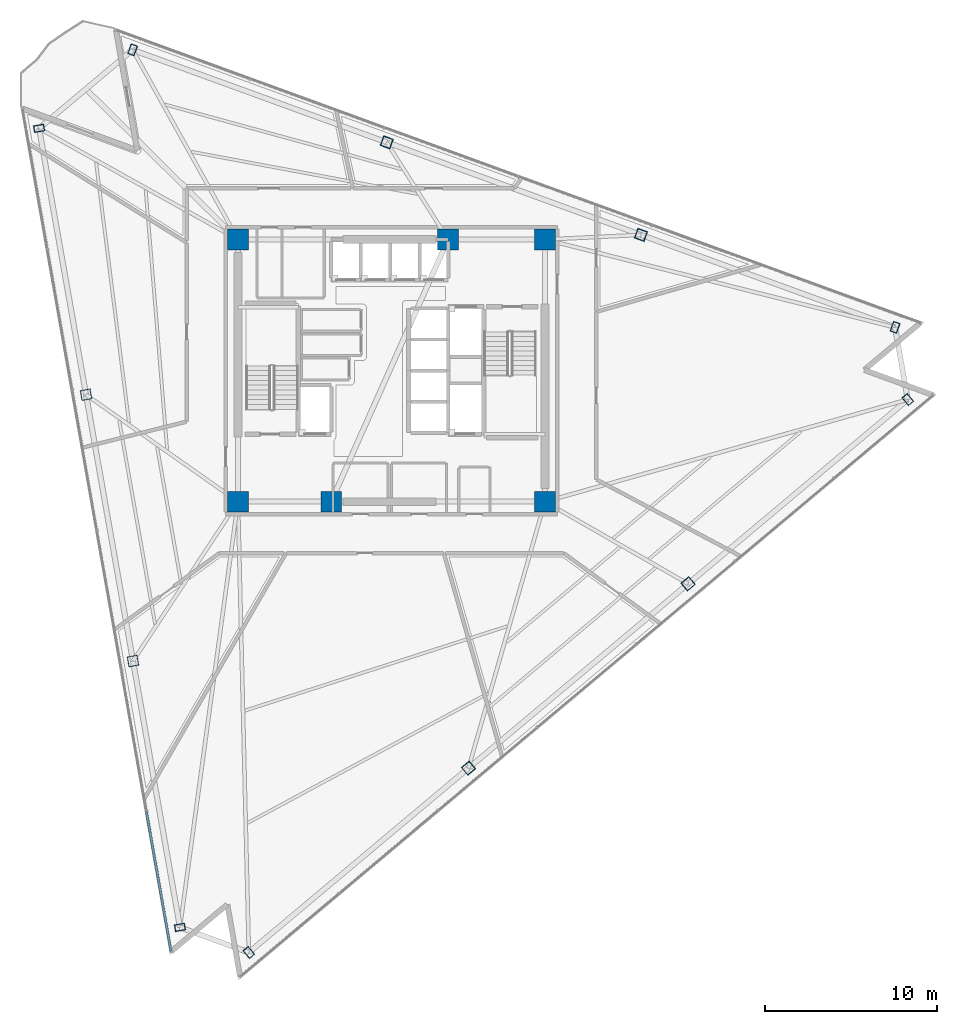
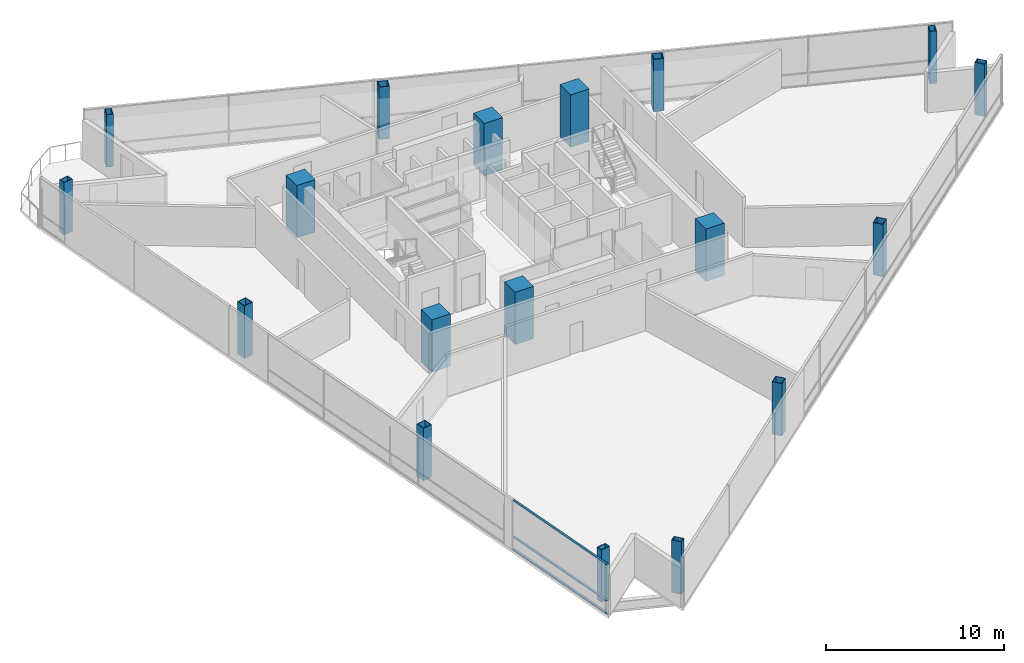
# One storey, part 1 of 15: 18 columns, 3 members, 1 element without a shape of its own.
"""IFC4 building model written with IfcOpenShell, lengths in metres."""

import ifcopenshell
import ifcopenshell.guid

model = None  # the IFC model being written
_history = None  # IfcOwnerHistory: only IFC2X3 demands one
_inside = {}  # id of a spatial element -> (the spatial element, [elements in it])
_under = {}  # id of a project, library or spatial element -> (it, [spatial elements below it])
_declared = {}  # id of a project -> (the project, [libraries it declares])
_typed = {}  # id of a type object -> (the type object, [elements of that type])
_made_of = {}  # id of a material, layer set ... -> (it, [elements and type objects made of it])


def new_model(schema):
    """Start an empty IFC model of exactly this schema.

    Asked for "IFC4X3", IfcOpenShell would pick the latest addendum, in which some entities
    have other attributes; the version numbers below select the first issue.
    IFC2X3 requires an IfcOwnerHistory on every rooted entity: one is made here for all.
    """
    global model, _history
    if schema == "IFC4X3":
        model = ifcopenshell.file(schema_version=(4, 3, 0, 0))
    else:
        model = ifcopenshell.file(schema=schema)
    _inside.clear()
    _under.clear()
    _declared.clear()
    _typed.clear()
    _made_of.clear()
    _history = None
    if model.schema == "IFC2X3":
        org = make("IfcOrganization", Name="unknown")
        user = make(
            "IfcPersonAndOrganization",
            ThePerson=make("IfcPerson", FamilyName="unknown"),
            TheOrganization=org,
        )
        app = make(
            "IfcApplication",
            ApplicationDeveloper=org,
            Version="unknown",
            ApplicationFullName="unknown",
            ApplicationIdentifier="unknown",
        )
        _history = make(
            "IfcOwnerHistory",
            OwningUser=user,
            OwningApplication=app,
            ChangeAction="ADDED",
            CreationDate=0,
        )
    return model


def make(cls, **values):
    """One entity of the class cls with the attributes given. An attribute that is None is left unset."""
    return model.create_entity(
        cls, **{name: value for name, value in values.items() if value is not None}
    )


def rooted(cls, **values):
    """An entity with a GlobalId (a new one), such as an element, a storey or a relation."""
    return make(cls, GlobalId=ifcopenshell.guid.new(), OwnerHistory=_history, **values)


def si_unit(unit_type, name, prefix=None):
    """IfcSIUnit, for example si_unit("LENGTHUNIT", "METRE", prefix="MILLI")."""
    return make("IfcSIUnit", UnitType=unit_type, Prefix=prefix, Name=name)


def assignment(units):
    """IfcUnitAssignment: the units of a project."""
    return None if units is None else make("IfcUnitAssignment", Units=units)


def point(xyz):
    """IfcCartesianPoint."""
    return None if xyz is None else make("IfcCartesianPoint", Coordinates=xyz)


def direction(xyz):
    """IfcDirection."""
    return None if xyz is None else make("IfcDirection", DirectionRatios=xyz)


def frame(location, z_axis=None, x_axis=None):
    """IfcAxis2Placement3D, a coordinate frame: its origin and axes. An axis left out is left unset."""
    return make(
        "IfcAxis2Placement3D",
        Location=point(location),
        Axis=direction(z_axis),
        RefDirection=direction(x_axis),
    )


def frame_2d(location, x_axis=None):
    """IfcAxis2Placement2D, a coordinate frame in the plane: its origin and x axis."""
    return make(
        "IfcAxis2Placement2D", Location=point(location), RefDirection=direction(x_axis)
    )


def origin():
    """The frame at (0, 0, 0) with its axes left unset."""
    return frame((0.0, 0.0, 0.0))


def origin_2d():
    """The frame at (0, 0) in the plane with its x axis left unset."""
    return frame_2d((0.0, 0.0))


def place(relative_to, where):
    """IfcLocalPlacement: puts the frame where relative to a parent placement (None: the world)."""
    return make(
        "IfcLocalPlacement", PlacementRelTo=relative_to, RelativePlacement=where
    )


def context(
    kind, dimensions, precision=None, world=None, true_north=None, identifier=None
):
    """IfcGeometricRepresentationContext, for example the 3D "Model" context."""
    return make(
        "IfcGeometricRepresentationContext",
        ContextIdentifier=identifier,
        ContextType=kind,
        CoordinateSpaceDimension=dimensions,
        Precision=precision,
        WorldCoordinateSystem=world,
        TrueNorth=true_north,
    )


def subcontext(parent, identifier, kind, view, scale=None):
    """IfcGeometricRepresentationSubContext, for example "Body" below "Model"."""
    return make(
        "IfcGeometricRepresentationSubContext",
        ContextIdentifier=identifier,
        ContextType=kind,
        ParentContext=parent,
        TargetScale=scale,
        TargetView=view,
    )


def project(units=None, contexts=None):
    """IfcProject with its units and contexts."""
    return rooted(
        "IfcProject",
        Name="project",
        RepresentationContexts=contexts,
        UnitsInContext=assignment(units),
    )


def spatial(cls, under=None, at=None, **own):
    """A site, building, storey or space (cls), placed at a placement, below another one or the project."""
    s = rooted(cls, ObjectPlacement=at, **own)
    if under is not None:
        _under.setdefault(under.id(), (under, []))[1].append(s)
    return s


def profile(cls, at=None, kind="AREA", **sizes):
    """A parametric profile (cls). Its sizes go by their IFC names, for example OverallWidth=200.0."""
    return make(cls, ProfileType=kind, Position=at, **sizes)


def rectangle(**sizes):
    """IfcRectangleProfileDef."""
    return profile("IfcRectangleProfileDef", **sizes)


def hollow_rectangle(**sizes):
    """IfcRectangleHollowProfileDef."""
    return profile("IfcRectangleHollowProfileDef", **sizes)


def extrude(swept, where, along, depth):
    """IfcExtrudedAreaSolid: the profile swept, set in the frame where, extruded along a direction by depth."""
    return make(
        "IfcExtrudedAreaSolid",
        SweptArea=swept,
        Position=where,
        ExtrudedDirection=direction(along),
        Depth=depth,
    )


def shape(context_of_items, identifier, shape_type, items):
    """IfcShapeRepresentation: the items that make up one representation, for example the "Body"."""
    return make(
        "IfcShapeRepresentation",
        ContextOfItems=context_of_items,
        RepresentationIdentifier=identifier,
        RepresentationType=shape_type,
        Items=items,
    )


def material(Name=None, Category=None):
    """IfcMaterial."""
    return make("IfcMaterial", Name=Name, Category=Category)


def layer(
    of_material, thickness, ventilated=None, Name=None, Category=None, Priority=None
):
    """IfcMaterialLayer: one layer of a wall or slab, of a material (None: an air gap)."""
    return make(
        "IfcMaterialLayer",
        Material=of_material,
        LayerThickness=thickness,
        IsVentilated=ventilated,
        Name=Name,
        Category=Category,
        Priority=Priority,
    )


def layer_set(layers, Name=None):
    """IfcMaterialLayerSet."""
    return make("IfcMaterialLayerSet", MaterialLayers=layers, LayerSetName=Name)


def material_profile(
    of_material, cross_section, Name=None, Category=None, Priority=None
):
    """IfcMaterialProfile: a cross section and its material."""
    return make(
        "IfcMaterialProfile",
        Name=Name,
        Material=of_material,
        Profile=cross_section,
        Priority=Priority,
        Category=Category,
    )


def profile_set(profiles, Name=None, composite=None):
    """IfcMaterialProfileSet."""
    return make(
        "IfcMaterialProfileSet",
        Name=Name,
        MaterialProfiles=profiles,
        CompositeProfile=composite,
    )


def made_of(thing, what):
    """Note that an element or type object is made of a material, layer set ...; save() writes the relation."""
    if what is not None:
        _made_of.setdefault(what.id(), (what, []))[1].append(thing)
    return thing


def type_object(cls, material=None, **own):
    """A type object (cls), such as IfcWallType, which elements share."""
    return made_of(rooted(cls, **own), material)


def element(
    cls,
    number,
    at=None,
    inside=None,
    cuts=None,
    type_object=None,
    material=None,
    context=None,
    identifier="Body",
    shape_type=None,
    held_by="IfcProductDefinitionShape",
    body=None,
    shapes=None,
    **own,
):
    """One element of the class cls, such as IfcWall. Its Tag is "e" and its number.

    at: its placement. inside: the storey or other place that contains it. cuts: it is an
    opening in that element (IfcRelVoidsElement). A single representation is given by context,
    identifier, shape_type and body (its items); several are given by shapes. held_by: the class
    of the entity that holds the representations. save() writes the other relations.
    """
    e = rooted(cls, Tag="e%d" % number, ObjectPlacement=at, **own)
    if body is not None:
        shapes = [shape(context, identifier, shape_type, body)]
    if shapes is not None:
        e.Representation = make(held_by, Representations=shapes)
    if inside is not None:
        _inside.setdefault(inside.id(), (inside, []))[1].append(e)
    if cuts is not None:
        rooted(
            "IfcRelVoidsElement", RelatingBuildingElement=cuts, RelatedOpeningElement=e
        )
    if type_object is not None:
        _typed.setdefault(type_object.id(), (type_object, []))[1].append(e)
    return made_of(e, material)


def aggregate(whole, parts):
    """IfcRelAggregates: a whole, such as a stair, and the parts it consists of."""
    return rooted("IfcRelAggregates", RelatingObject=whole, RelatedObjects=parts)


def save(model, path):
    """Write the relations noted so far, then the file.

    IfcRelAggregates (storeys below a building ...), IfcRelContainedInSpatialStructure (elements
    in a storey), IfcRelDefinesByType, IfcRelAssociatesMaterial and IfcRelDeclares: one each for
    every whole, place, type object, material and project.
    """
    for whole, parts in _under.values():
        aggregate(whole, parts)
    for where, things in _inside.values():
        rooted(
            "IfcRelContainedInSpatialStructure",
            RelatedElements=things,
            RelatingStructure=where,
        )
    for kind, things in _typed.values():
        rooted("IfcRelDefinesByType", RelatedObjects=things, RelatingType=kind)
    for what, things in _made_of.values():
        rooted("IfcRelAssociatesMaterial", RelatedObjects=things, RelatingMaterial=what)
    for by, libraries in _declared.values():
        rooted("IfcRelDeclares", RelatingContext=by, RelatedDefinitions=libraries)
    model.write(path)


model = new_model("IFC4")

# Units and contexts
model_context = context("Model", 3, precision=1e-05, world=origin(), true_north=direction((0.0, 1.0)))
body_context = subcontext(model_context, "Body", "Model", "MODEL_VIEW")
ifc_project = project(units=[si_unit("LENGTHUNIT", "METRE"), si_unit("AREAUNIT", "SQUARE_METRE"), si_unit("VOLUMEUNIT", "CUBIC_METRE"), si_unit("PLANEANGLEUNIT", "RADIAN"), si_unit("MASSUNIT", "GRAM", prefix="KILO")], contexts=[model_context])

# Site, building, storey
site_placement = place(None, origin())
site = spatial("IfcSite", under=ifc_project, at=site_placement, CompositionType="ELEMENT")
building_placement = place(site_placement, origin())
building = spatial("IfcBuilding", under=site, at=building_placement, Name="Tharavind Bronze Gate", CompositionType="ELEMENT")
storey_placement = place(building_placement, frame((0.0, 0.0, 174.10009765625)))
storey = spatial("IfcBuildingStorey", under=building, at=storey_placement, Name="L44", CompositionType="ELEMENT", Elevation=174.10009765625)

# Columns
ifc_material_1 = material(Name="Steel S460", Category="steel")
ifc_material_profile_1 = material_profile(ifc_material_1, hollow_rectangle(XDim=0.39990234375, YDim=0.60009765625, WallThickness=0.030029296875, at=origin_2d()), Name="RHS600X400X30")
ifc_profile_set_1 = profile_set([ifc_material_profile_1], Name="Steel S460")
column_type_1 = type_object("IfcColumnType", Name="CORNER NOTCH COLUMN RHS600X400", PredefinedType="COLUMN", material=ifc_profile_set_1)
for number, where, z_axis, x_axis, name in (
    (1, (-20.4326171875, 14.043212890625, 0.0), (0.0, 0.0, 1.0), (-0.173648177667, 0.984807753012, 0.0), "L44 perimeter column S1C1"),
    (2, (-12.263916015625, -32.2841796875, 0.0), (0.0, 0.0, 1.0), (-0.173648177667, 0.984807753012, 0.0), "L44 perimeter column S1C4"),
    (3, (-8.27197265625, -33.737060546875, 0.0), (0.0, 0.0, 1.0), (0.766043321242, 0.642788946685, 0.0), "L44 perimeter column S2C1"),
    (4, (29.933837890625, -1.6787109375, 0.0), (0.0, 0.0, 1.0), (0.766043321242, 0.642788946685, 0.0), "L44 perimeter column S2C4"),
    (5, (29.1962890625, 2.5048828125, 0.0), (0.0, 0.0, 1.0), (-0.939692023847, 0.342021783398, 0.0), "L44 perimeter column S3C1"),
    (6, (-15.0087890625, 18.59423828125, 0.0), (0.0, 0.0, 1.0), (-0.939692023847, 0.342021783398, 0.0), "L44 perimeter column S3C4"),
):
    element("IfcColumn", number, at=place(storey_placement, frame(where, z_axis=z_axis, x_axis=x_axis)), inside=storey, type_object=column_type_1, Name=name, PredefinedType="COLUMN", context=body_context, shape_type="SweptSolid", body=[
        extrude(hollow_rectangle(XDim=0.39990234375, YDim=0.60009765625, WallThickness=0.030029296875, at=origin_2d()), origin(), (0.0, 0.0, 1.0), 3.599853515625),
    ])
ifc_material_2 = material(Name="Concrete C60/75", Category="concrete")
ifc_material_profile_2 = material_profile(ifc_material_2, rectangle(XDim=1.199951171875, YDim=1.199951171875, at=origin_2d()), Name="RCCOL1200")
ifc_profile_set_2 = profile_set([ifc_material_profile_2], Name="Concrete C60/75")
column_type_2 = type_object("IfcColumnType", Name="MEGA CORE COLUMN 1200", PredefinedType="COLUMN", material=ifc_profile_set_2)
for number, where, z_axis, x_axis, name in (
    (7, (-8.89990234375, -7.60009765625, 0.0), (0.0, 0.0, 1.0), (1.0, 0.0, 0.0), "L44 core mega column MC1"),
    (8, (-3.5, -7.60009765625, 0.0), (0.0, 0.0, 1.0), (1.0, 0.0, 0.0), "L44 core mega column MC2"),
    (9, (8.89990234375, -7.60009765625, 0.0), (0.0, 0.0, 1.0), (1.0, 0.0, 0.0), "L44 core mega column MC3"),
    (10, (8.89990234375, 7.60009765625, 0.0), (0.0, 0.0, 1.0), (1.0, 0.0, 0.0), "L44 core mega column MC4"),
    (11, (3.280029296875, 7.60009765625, 0.0), (0.0, 0.0, 1.0), (1.0, 0.0, 0.0), "L44 core mega column MC5"),
    (12, (-8.89990234375, 7.60009765625, 0.0), (0.0, 0.0, 1.0), (1.0, 0.0, 0.0), "L44 core mega column MC6"),
):
    element("IfcColumn", number, at=place(storey_placement, frame(where, z_axis=z_axis, x_axis=x_axis)), inside=storey, type_object=column_type_2, Name=name, PredefinedType="COLUMN", context=body_context, shape_type="SweptSolid", body=[
        extrude(rectangle(XDim=1.199951171875, YDim=1.199951171875, at=origin_2d()), origin(), (0.0, 0.0, 1.0), 3.599853515625),
    ])
ifc_material_profile_3 = material_profile(ifc_material_1, hollow_rectangle(XDim=0.60009765625, YDim=0.60009765625, WallThickness=0.035888671875, at=origin_2d()), Name="SHS600X36")
ifc_profile_set_3 = profile_set([ifc_material_profile_3], Name="Steel S460")
column_type_3 = type_object("IfcColumnType", Name="PERIMETER BOX COLUMN SHS600", PredefinedType="COLUMN", material=ifc_profile_set_3)
for number, where, z_axis, x_axis, name in (
    (13, (-17.709716796875, -1.3994140625, 0.0), (0.0, 0.0, 1.0), (-0.173648177667, 0.984807753012, 0.0), "L44 perimeter column S1C2"),
    (14, (-14.98681640625, -16.841796875, 0.0), (0.0, 0.0, 1.0), (-0.173648177667, 0.984807753012, 0.0), "L44 perimeter column S1C3"),
    (15, (4.46337890625, -23.05078125, 0.0), (0.0, 0.0, 1.0), (0.766043321242, 0.642788946685, 0.0), "L44 perimeter column S2C2"),
    (16, (17.198486328125, -12.36474609375, 0.0), (0.0, 0.0, 1.0), (0.766043321242, 0.642788946685, 0.0), "L44 perimeter column S2C3"),
    (17, (14.461181640625, 7.867919921875, 0.0), (0.0, 0.0, 1.0), (-0.939692023847, 0.342021783398, 0.0), "L44 perimeter column S3C2"),
    (18, (-0.27392578125, 13.231201171875, 0.0), (0.0, 0.0, 1.0), (-0.939692023847, 0.342021783398, 0.0), "L44 perimeter column S3C3"),
):
    element("IfcColumn", number, at=place(storey_placement, frame(where, z_axis=z_axis, x_axis=x_axis)), inside=storey, type_object=column_type_3, Name=name, PredefinedType="COLUMN", context=body_context, shape_type="SweptSolid", body=[
        extrude(hollow_rectangle(XDim=0.60009765625, YDim=0.60009765625, WallThickness=0.035888671875, at=origin_2d()), origin(), (0.0, 0.0, 1.0), 3.599853515625),
    ])

# Curtain wall, members
ifc_material_3 = material(Name="Anodised Bronze Aluminium", Category="aluminium")
ifc_layer = layer(ifc_material_3, 0.219970703125)
ifc_layer_set = layer_set([ifc_layer], Name="Anodised Bronze Aluminium")
curtain_wall_type = type_object("IfcCurtainWallType", Name="UNITISED CURTAIN WALL MID OFFICE", PredefinedType="USERDEFINED", material=ifc_layer_set)
curtain_wall_placement = place(storey_placement, origin())
curtain_wall = element("IfcCurtainWall", 19, at=curtain_wall_placement, inside=storey, type_object=curtain_wall_type, Name="L44 unitised curtain wall mid office CW-L44-S1", ObjectType="UNITISED CURTAIN WALL", PredefinedType="USERDEFINED")
member_type = type_object("IfcMemberType", Name="CURTAIN WALL BRONZE TRANSOM 65X140", PredefinedType="USERDEFINED", material=ifc_material_3)
member_1_placement = place(storey_placement, frame((-13.4951171875, -29.6201171875, 0.0), z_axis=(0.0, 0.0, 1.0), x_axis=(0.173648177667, -0.984807753012, 0.0)))
member_1 = element("IfcMember", 20, at=member_1_placement, type_object=member_type, Name="CW-L44-S1 transom TB6", ObjectType="TRANSOM", PredefinedType="USERDEFINED", context=body_context, shape_type="SweptSolid", body=[
    extrude(rectangle(XDim=8.220458984375, YDim=0.139892578125, at=origin_2d()), origin(), (0.0, 0.0, 1.0), 0.06494140625),
])
member_2_placement = place(storey_placement, frame((-13.4951171875, -29.6201171875, 0.867431640625), z_axis=(0.0, 0.0, 1.0), x_axis=(0.173648177667, -0.984807753012, 0.0)))
member_2 = element("IfcMember", 21, at=member_2_placement, type_object=member_type, Name="CW-L44-S1 transom TS6", ObjectType="TRANSOM", PredefinedType="USERDEFINED", context=body_context, shape_type="SweptSolid", body=[
    extrude(rectangle(XDim=8.220458984375, YDim=0.139892578125, at=origin_2d()), origin(), (0.0, 0.0, 1.0), 0.06494140625),
])
member_3_placement = place(storey_placement, frame((-13.4951171875, -29.6201171875, 3.35498046875), z_axis=(0.0, 0.0, 1.0), x_axis=(0.173648177667, -0.984807753012, 0.0)))
member_3 = element("IfcMember", 22, at=member_3_placement, type_object=member_type, Name="CW-L44-S1 transom TT6", ObjectType="TRANSOM", PredefinedType="USERDEFINED", context=body_context, shape_type="SweptSolid", body=[
    extrude(rectangle(XDim=8.220458984375, YDim=0.139892578125, at=origin_2d()), origin(), (0.0, 0.0, 1.0), 0.06494140625),
])
aggregate(curtain_wall, [member_1, member_2, member_3])

save(model, "model.ifc")
